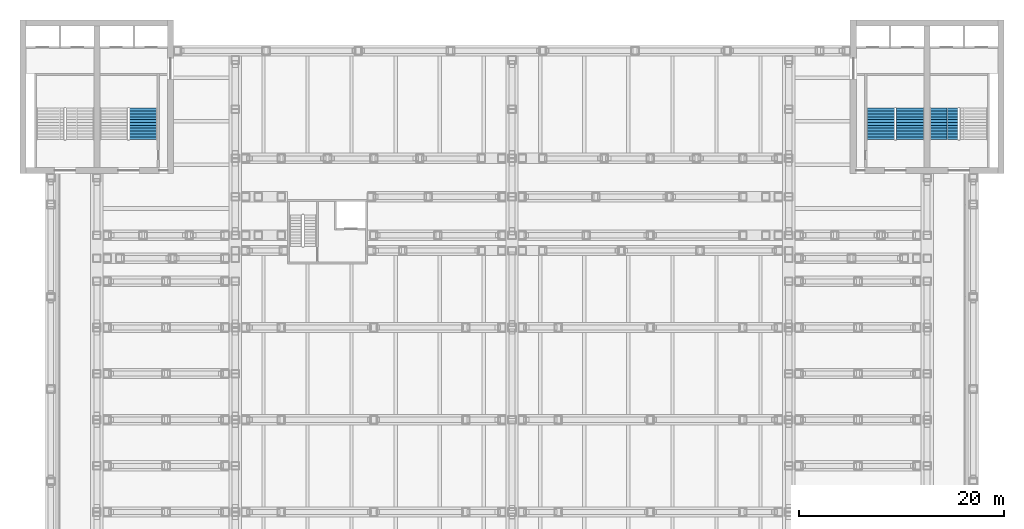
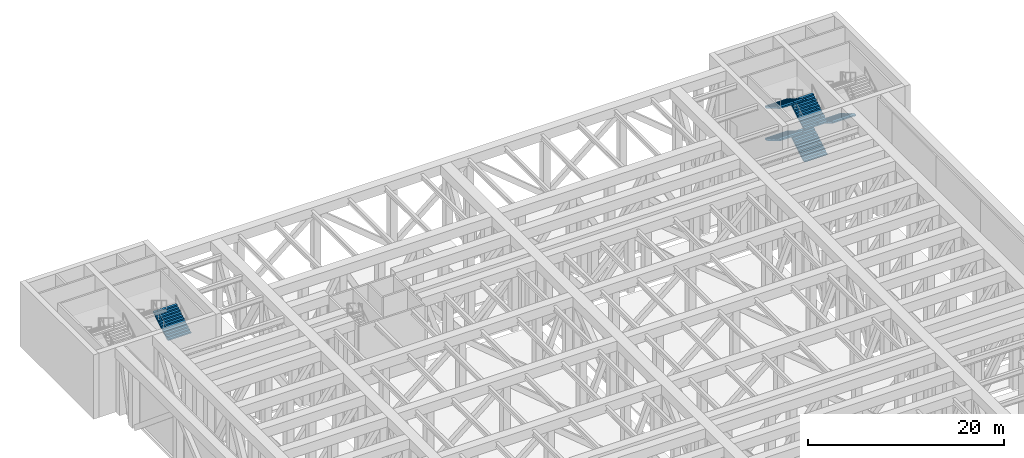
# One storey, part 16 of 20: 6 stair flights, 3 elements without a shape of their own.
"""IFC4 building model written with IfcOpenShell, lengths in metres."""

from ifc_helpers import new_model, si_unit, direction, frame, origin, place, context, subcontext, project, spatial, polyline, outline, extrude, material, type_object, element, aggregate, save


model = new_model("IFC4")

# Units and contexts
model_context = context("Model", 3, precision=1e-05, world=origin(), true_north=direction((0.0, 1.0)))
body_context = subcontext(model_context, "Body", "Model", "MODEL_VIEW")
ifc_project = project(units=[si_unit("LENGTHUNIT", "METRE"), si_unit("AREAUNIT", "SQUARE_METRE"), si_unit("VOLUMEUNIT", "CUBIC_METRE"), si_unit("PLANEANGLEUNIT", "RADIAN"), si_unit("MASSUNIT", "GRAM", prefix="KILO")], contexts=[model_context])

# Site, building, storey
site_placement = place(None, origin())
site = spatial("IfcSite", under=ifc_project, at=site_placement, CompositionType="ELEMENT")
building_placement = place(site_placement, origin())
building = spatial("IfcBuilding", under=site, at=building_placement, Name="Corbelhall Arena Tower", CompositionType="ELEMENT")
storey_placement = place(building_placement, frame((0.0, 0.0, 44.0)))
storey = spatial("IfcBuildingStorey", under=building, at=storey_placement, Name="L06", CompositionType="ELEMENT", Elevation=44.0)

# Stair, stair flights
ifc_material = material(Name="Reinforced concrete C40/50", Category="concrete")
stair_type = type_object("IfcStairType", Name="AR-EXIT-STAIR", PredefinedType="HALF_TURN_STAIR", material=ifc_material)
stair_1_placement = place(storey_placement, origin())
stair_1 = element("IfcStair", 1, at=stair_1_placement, inside=storey, type_object=stair_type, Name="L06 exit stair AS1", PredefinedType="HALF_TURN_STAIR")
stair_flight_type = type_object("IfcStairFlightType", Name="AR-EXIT-FLIGHT", PredefinedType="STRAIGHT", material=ifc_material)
stair_flight_1_placement = place(storey_placement, frame((38.840087890625, 27.320068359375, 0.0), z_axis=(0.0, 0.0, 1.0), x_axis=(0.0, 1.0, 0.0)))
stair_flight_1 = element("IfcStairFlight", 2, at=stair_flight_1_placement, type_object=stair_flight_type, Name="AS1 flight 1", NumberOfRisers=12, NumberOfTreads=11, PredefinedType="STRAIGHT", RiserHeight=0.166666667, TreadLength=0.28, context=body_context, shape_type="SweptSolid", body=[
    extrude(outline(polyline([(0.0, 0.0), (0.0, 0.166748046875), (0.280029296875, 0.166748046875), (0.280029296875, 0.333251953125), (0.56005859375, 0.333251953125), (0.56005859375, 0.5), (0.840087890625, 0.5), (0.840087890625, 0.666748046875), (1.1201171875, 0.666748046875), (1.1201171875, 0.833251953125), (1.39990234375, 0.833251953125), (1.39990234375, 1.0), (1.679931640625, 1.0), (1.679931640625, 1.166748046875), (1.9599609375, 1.166748046875), (1.9599609375, 1.333251953125), (2.239990234375, 1.333251953125), (2.239990234375, 1.5), (2.52001953125, 1.5), (2.52001953125, 1.666748046875), (2.800048828125, 1.666748046875), (2.800048828125, 1.833251953125), (3.080078125, 1.833251953125), (3.080078125, 2.0), (3.080078125, 1.658935546875), (0.29296875, 0.0), (0.0, 0.0)])), frame((0.0, 1.35986328125, 0.0), z_axis=(0.0, -1.0, 0.0), x_axis=(1.0, 0.0, 0.0)), (0.0, 0.0, 1.0), 0.449951171875),
    extrude(outline(polyline([(0.0, 0.0), (0.0, 0.166748046875), (0.280029296875, 0.166748046875), (0.280029296875, 0.333251953125), (0.56005859375, 0.333251953125), (0.56005859375, 0.5), (0.840087890625, 0.5), (0.840087890625, 0.666748046875), (1.1201171875, 0.666748046875), (1.1201171875, 0.833251953125), (1.39990234375, 0.833251953125), (1.39990234375, 1.0), (1.679931640625, 1.0), (1.679931640625, 1.166748046875), (1.9599609375, 1.166748046875), (1.9599609375, 1.333251953125), (2.239990234375, 1.333251953125), (2.239990234375, 1.5), (2.52001953125, 1.5), (2.52001953125, 1.666748046875), (2.800048828125, 1.666748046875), (2.800048828125, 1.833251953125), (3.080078125, 1.833251953125), (3.080078125, 2.0), (3.080078125, 1.658935546875), (0.29296875, 0.0), (0.0, 0.0)])), frame((0.0, 0.906005859375, 0.0), z_axis=(0.0, -1.0, 0.0), x_axis=(1.0, 0.0, 0.0)), (0.0, 0.0, 1.0), 0.601318359375),
    extrude(outline(polyline([(0.0, 0.0), (0.0, 0.166748046875), (0.280029296875, 0.166748046875), (0.280029296875, 0.333251953125), (0.56005859375, 0.333251953125), (0.56005859375, 0.5), (0.840087890625, 0.5), (0.840087890625, 0.666748046875), (1.1201171875, 0.666748046875), (1.1201171875, 0.833251953125), (1.39990234375, 0.833251953125), (1.39990234375, 1.0), (1.679931640625, 1.0), (1.679931640625, 1.166748046875), (1.9599609375, 1.166748046875), (1.9599609375, 1.333251953125), (2.239990234375, 1.333251953125), (2.239990234375, 1.5), (2.52001953125, 1.5), (2.52001953125, 1.666748046875), (2.800048828125, 1.666748046875), (2.800048828125, 1.833251953125), (3.080078125, 1.833251953125), (3.080078125, 2.0), (3.080078125, 1.658935546875), (0.29296875, 0.0), (0.0, 0.0)])), frame((0.0, 0.30078125, 0.0), z_axis=(0.0, -1.0, 0.0), x_axis=(1.0, 0.0, 0.0)), (0.0, 0.0, 1.0), 0.601318359375),
    extrude(outline(polyline([(0.0, 0.0), (0.0, 0.166748046875), (0.280029296875, 0.166748046875), (0.280029296875, 0.333251953125), (0.56005859375, 0.333251953125), (0.56005859375, 0.5), (0.840087890625, 0.5), (0.840087890625, 0.666748046875), (1.1201171875, 0.666748046875), (1.1201171875, 0.833251953125), (1.39990234375, 0.833251953125), (1.39990234375, 1.0), (1.679931640625, 1.0), (1.679931640625, 1.166748046875), (1.9599609375, 1.166748046875), (1.9599609375, 1.333251953125), (2.239990234375, 1.333251953125), (2.239990234375, 1.5), (2.52001953125, 1.5), (2.52001953125, 1.666748046875), (2.800048828125, 1.666748046875), (2.800048828125, 1.833251953125), (3.080078125, 1.833251953125), (3.080078125, 2.0), (3.080078125, 1.658935546875), (0.29296875, 0.0), (0.0, 0.0)])), frame((0.0, -0.3046875, 0.0), z_axis=(0.0, -1.0, 0.0), x_axis=(1.0, 0.0, 0.0)), (0.0, 0.0, 1.0), 0.601318359375),
    extrude(outline(polyline([(0.0, 0.0), (0.0, 0.166748046875), (0.280029296875, 0.166748046875), (0.280029296875, 0.333251953125), (0.56005859375, 0.333251953125), (0.56005859375, 0.5), (0.840087890625, 0.5), (0.840087890625, 0.666748046875), (1.1201171875, 0.666748046875), (1.1201171875, 0.833251953125), (1.39990234375, 0.833251953125), (1.39990234375, 1.0), (1.679931640625, 1.0), (1.679931640625, 1.166748046875), (1.9599609375, 1.166748046875), (1.9599609375, 1.333251953125), (2.239990234375, 1.333251953125), (2.239990234375, 1.5), (2.52001953125, 1.5), (2.52001953125, 1.666748046875), (2.800048828125, 1.666748046875), (2.800048828125, 1.833251953125), (3.080078125, 1.833251953125), (3.080078125, 2.0), (3.080078125, 1.658935546875), (0.29296875, 0.0), (0.0, 0.0)])), frame((0.0, -0.909912109375, 0.0), z_axis=(0.0, -1.0, 0.0), x_axis=(1.0, 0.0, 0.0)), (0.0, 0.0, 1.0), 0.449951171875),
])
stair_flight_2_placement = place(storey_placement, frame((35.969970703125, 30.39990234375, 2.0), z_axis=(0.0, 0.0, 1.0), x_axis=(0.0, -1.0, 0.0)))
stair_flight_2 = element("IfcStairFlight", 3, at=stair_flight_2_placement, type_object=stair_flight_type, Name="AS1 flight 2", NumberOfRisers=12, NumberOfTreads=11, PredefinedType="STRAIGHT", RiserHeight=0.166666667, TreadLength=0.28, context=body_context, shape_type="SweptSolid", body=[
    extrude(outline(polyline([(0.0, 0.0), (0.0, 0.166748046875), (0.280029296875, 0.166748046875), (0.280029296875, 0.333251953125), (0.56005859375, 0.333251953125), (0.56005859375, 0.5), (0.840087890625, 0.5), (0.840087890625, 0.666748046875), (1.1201171875, 0.666748046875), (1.1201171875, 0.833251953125), (1.39990234375, 0.833251953125), (1.39990234375, 1.0), (1.679931640625, 1.0), (1.679931640625, 1.166748046875), (1.9599609375, 1.166748046875), (1.9599609375, 1.333251953125), (2.239990234375, 1.333251953125), (2.239990234375, 1.5), (2.52001953125, 1.5), (2.52001953125, 1.666748046875), (2.800048828125, 1.666748046875), (2.800048828125, 1.833251953125), (3.080078125, 1.833251953125), (3.080078125, 2.0), (3.080078125, 1.658935546875), (0.29296875, 0.0), (0.0, 0.0)])), frame((0.0, 1.35986328125, 0.0), z_axis=(0.0, -1.0, 0.0), x_axis=(1.0, 0.0, 0.0)), (0.0, 0.0, 1.0), 0.449951171875),
    extrude(outline(polyline([(0.0, 0.0), (0.0, 0.166748046875), (0.280029296875, 0.166748046875), (0.280029296875, 0.333251953125), (0.56005859375, 0.333251953125), (0.56005859375, 0.5), (0.840087890625, 0.5), (0.840087890625, 0.666748046875), (1.1201171875, 0.666748046875), (1.1201171875, 0.833251953125), (1.39990234375, 0.833251953125), (1.39990234375, 1.0), (1.679931640625, 1.0), (1.679931640625, 1.166748046875), (1.9599609375, 1.166748046875), (1.9599609375, 1.333251953125), (2.239990234375, 1.333251953125), (2.239990234375, 1.5), (2.52001953125, 1.5), (2.52001953125, 1.666748046875), (2.800048828125, 1.666748046875), (2.800048828125, 1.833251953125), (3.080078125, 1.833251953125), (3.080078125, 2.0), (3.080078125, 1.658935546875), (0.29296875, 0.0), (0.0, 0.0)])), frame((0.0, 0.906005859375, 0.0), z_axis=(0.0, -1.0, 0.0), x_axis=(1.0, 0.0, 0.0)), (0.0, 0.0, 1.0), 0.601318359375),
    extrude(outline(polyline([(0.0, 0.0), (0.0, 0.166748046875), (0.280029296875, 0.166748046875), (0.280029296875, 0.333251953125), (0.56005859375, 0.333251953125), (0.56005859375, 0.5), (0.840087890625, 0.5), (0.840087890625, 0.666748046875), (1.1201171875, 0.666748046875), (1.1201171875, 0.833251953125), (1.39990234375, 0.833251953125), (1.39990234375, 1.0), (1.679931640625, 1.0), (1.679931640625, 1.166748046875), (1.9599609375, 1.166748046875), (1.9599609375, 1.333251953125), (2.239990234375, 1.333251953125), (2.239990234375, 1.5), (2.52001953125, 1.5), (2.52001953125, 1.666748046875), (2.800048828125, 1.666748046875), (2.800048828125, 1.833251953125), (3.080078125, 1.833251953125), (3.080078125, 2.0), (3.080078125, 1.658935546875), (0.29296875, 0.0), (0.0, 0.0)])), frame((0.0, 0.30078125, 0.0), z_axis=(0.0, -1.0, 0.0), x_axis=(1.0, 0.0, 0.0)), (0.0, 0.0, 1.0), 0.601318359375),
    extrude(outline(polyline([(0.0, 0.0), (0.0, 0.166748046875), (0.280029296875, 0.166748046875), (0.280029296875, 0.333251953125), (0.56005859375, 0.333251953125), (0.56005859375, 0.5), (0.840087890625, 0.5), (0.840087890625, 0.666748046875), (1.1201171875, 0.666748046875), (1.1201171875, 0.833251953125), (1.39990234375, 0.833251953125), (1.39990234375, 1.0), (1.679931640625, 1.0), (1.679931640625, 1.166748046875), (1.9599609375, 1.166748046875), (1.9599609375, 1.333251953125), (2.239990234375, 1.333251953125), (2.239990234375, 1.5), (2.52001953125, 1.5), (2.52001953125, 1.666748046875), (2.800048828125, 1.666748046875), (2.800048828125, 1.833251953125), (3.080078125, 1.833251953125), (3.080078125, 2.0), (3.080078125, 1.658935546875), (0.29296875, 0.0), (0.0, 0.0)])), frame((0.0, -0.3046875, 0.0), z_axis=(0.0, -1.0, 0.0), x_axis=(1.0, 0.0, 0.0)), (0.0, 0.0, 1.0), 0.601318359375),
    extrude(outline(polyline([(0.0, 0.0), (0.0, 0.166748046875), (0.280029296875, 0.166748046875), (0.280029296875, 0.333251953125), (0.56005859375, 0.333251953125), (0.56005859375, 0.5), (0.840087890625, 0.5), (0.840087890625, 0.666748046875), (1.1201171875, 0.666748046875), (1.1201171875, 0.833251953125), (1.39990234375, 0.833251953125), (1.39990234375, 1.0), (1.679931640625, 1.0), (1.679931640625, 1.166748046875), (1.9599609375, 1.166748046875), (1.9599609375, 1.333251953125), (2.239990234375, 1.333251953125), (2.239990234375, 1.5), (2.52001953125, 1.5), (2.52001953125, 1.666748046875), (2.800048828125, 1.666748046875), (2.800048828125, 1.833251953125), (3.080078125, 1.833251953125), (3.080078125, 2.0), (3.080078125, 1.658935546875), (0.29296875, 0.0), (0.0, 0.0)])), frame((0.0, -0.909912109375, 0.0), z_axis=(0.0, -1.0, 0.0), x_axis=(1.0, 0.0, 0.0)), (0.0, 0.0, 1.0), 0.449951171875),
])
stair_flight_3_placement = place(storey_placement, frame((38.840087890625, 27.320068359375, 4.0), z_axis=(0.0, 0.0, 1.0), x_axis=(0.0, 1.0, 0.0)))
stair_flight_3 = element("IfcStairFlight", 4, at=stair_flight_3_placement, type_object=stair_flight_type, Name="AS1 flight 3", NumberOfRisers=12, NumberOfTreads=11, PredefinedType="STRAIGHT", RiserHeight=0.166666667, TreadLength=0.28, context=body_context, shape_type="SweptSolid", body=[
    extrude(outline(polyline([(0.0, 0.0), (0.0, 0.166748046875), (0.280029296875, 0.166748046875), (0.280029296875, 0.333251953125), (0.56005859375, 0.333251953125), (0.56005859375, 0.5), (0.840087890625, 0.5), (0.840087890625, 0.666748046875), (1.1201171875, 0.666748046875), (1.1201171875, 0.833251953125), (1.39990234375, 0.833251953125), (1.39990234375, 1.0), (1.679931640625, 1.0), (1.679931640625, 1.166748046875), (1.9599609375, 1.166748046875), (1.9599609375, 1.333251953125), (2.239990234375, 1.333251953125), (2.239990234375, 1.5), (2.52001953125, 1.5), (2.52001953125, 1.666748046875), (2.800048828125, 1.666748046875), (2.800048828125, 1.833251953125), (3.080078125, 1.833251953125), (3.080078125, 2.0), (3.080078125, 1.658935546875), (0.29296875, 0.0), (0.0, 0.0)])), frame((0.0, 1.35986328125, 0.0), z_axis=(0.0, -1.0, 0.0), x_axis=(1.0, 0.0, 0.0)), (0.0, 0.0, 1.0), 0.449951171875),
    extrude(outline(polyline([(0.0, 0.0), (0.0, 0.166748046875), (0.280029296875, 0.166748046875), (0.280029296875, 0.333251953125), (0.56005859375, 0.333251953125), (0.56005859375, 0.5), (0.840087890625, 0.5), (0.840087890625, 0.666748046875), (1.1201171875, 0.666748046875), (1.1201171875, 0.833251953125), (1.39990234375, 0.833251953125), (1.39990234375, 1.0), (1.679931640625, 1.0), (1.679931640625, 1.166748046875), (1.9599609375, 1.166748046875), (1.9599609375, 1.333251953125), (2.239990234375, 1.333251953125), (2.239990234375, 1.5), (2.52001953125, 1.5), (2.52001953125, 1.666748046875), (2.800048828125, 1.666748046875), (2.800048828125, 1.833251953125), (3.080078125, 1.833251953125), (3.080078125, 2.0), (3.080078125, 1.658935546875), (0.29296875, 0.0), (0.0, 0.0)])), frame((0.0, 0.906005859375, 0.0), z_axis=(0.0, -1.0, 0.0), x_axis=(1.0, 0.0, 0.0)), (0.0, 0.0, 1.0), 0.601318359375),
    extrude(outline(polyline([(0.0, 0.0), (0.0, 0.166748046875), (0.280029296875, 0.166748046875), (0.280029296875, 0.333251953125), (0.56005859375, 0.333251953125), (0.56005859375, 0.5), (0.840087890625, 0.5), (0.840087890625, 0.666748046875), (1.1201171875, 0.666748046875), (1.1201171875, 0.833251953125), (1.39990234375, 0.833251953125), (1.39990234375, 1.0), (1.679931640625, 1.0), (1.679931640625, 1.166748046875), (1.9599609375, 1.166748046875), (1.9599609375, 1.333251953125), (2.239990234375, 1.333251953125), (2.239990234375, 1.5), (2.52001953125, 1.5), (2.52001953125, 1.666748046875), (2.800048828125, 1.666748046875), (2.800048828125, 1.833251953125), (3.080078125, 1.833251953125), (3.080078125, 2.0), (3.080078125, 1.658935546875), (0.29296875, 0.0), (0.0, 0.0)])), frame((0.0, 0.30078125, 0.0), z_axis=(0.0, -1.0, 0.0), x_axis=(1.0, 0.0, 0.0)), (0.0, 0.0, 1.0), 0.601318359375),
    extrude(outline(polyline([(0.0, 0.0), (0.0, 0.166748046875), (0.280029296875, 0.166748046875), (0.280029296875, 0.333251953125), (0.56005859375, 0.333251953125), (0.56005859375, 0.5), (0.840087890625, 0.5), (0.840087890625, 0.666748046875), (1.1201171875, 0.666748046875), (1.1201171875, 0.833251953125), (1.39990234375, 0.833251953125), (1.39990234375, 1.0), (1.679931640625, 1.0), (1.679931640625, 1.166748046875), (1.9599609375, 1.166748046875), (1.9599609375, 1.333251953125), (2.239990234375, 1.333251953125), (2.239990234375, 1.5), (2.52001953125, 1.5), (2.52001953125, 1.666748046875), (2.800048828125, 1.666748046875), (2.800048828125, 1.833251953125), (3.080078125, 1.833251953125), (3.080078125, 2.0), (3.080078125, 1.658935546875), (0.29296875, 0.0), (0.0, 0.0)])), frame((0.0, -0.3046875, 0.0), z_axis=(0.0, -1.0, 0.0), x_axis=(1.0, 0.0, 0.0)), (0.0, 0.0, 1.0), 0.601318359375),
    extrude(outline(polyline([(0.0, 0.0), (0.0, 0.166748046875), (0.280029296875, 0.166748046875), (0.280029296875, 0.333251953125), (0.56005859375, 0.333251953125), (0.56005859375, 0.5), (0.840087890625, 0.5), (0.840087890625, 0.666748046875), (1.1201171875, 0.666748046875), (1.1201171875, 0.833251953125), (1.39990234375, 0.833251953125), (1.39990234375, 1.0), (1.679931640625, 1.0), (1.679931640625, 1.166748046875), (1.9599609375, 1.166748046875), (1.9599609375, 1.333251953125), (2.239990234375, 1.333251953125), (2.239990234375, 1.5), (2.52001953125, 1.5), (2.52001953125, 1.666748046875), (2.800048828125, 1.666748046875), (2.800048828125, 1.833251953125), (3.080078125, 1.833251953125), (3.080078125, 2.0), (3.080078125, 1.658935546875), (0.29296875, 0.0), (0.0, 0.0)])), frame((0.0, -0.909912109375, 0.0), z_axis=(0.0, -1.0, 0.0), x_axis=(1.0, 0.0, 0.0)), (0.0, 0.0, 1.0), 0.449951171875),
])
stair_flight_4_placement = place(storey_placement, frame((35.969970703125, 30.39990234375, 6.0), z_axis=(0.0, 0.0, 1.0), x_axis=(0.0, -1.0, 0.0)))
stair_flight_4 = element("IfcStairFlight", 5, at=stair_flight_4_placement, type_object=stair_flight_type, Name="AS1 flight 4", NumberOfRisers=12, NumberOfTreads=11, PredefinedType="STRAIGHT", RiserHeight=0.166666667, TreadLength=0.28, context=body_context, shape_type="SweptSolid", body=[
    extrude(outline(polyline([(0.0, 0.0), (0.0, 0.166748046875), (0.280029296875, 0.166748046875), (0.280029296875, 0.333251953125), (0.56005859375, 0.333251953125), (0.56005859375, 0.5), (0.840087890625, 0.5), (0.840087890625, 0.666748046875), (1.1201171875, 0.666748046875), (1.1201171875, 0.833251953125), (1.39990234375, 0.833251953125), (1.39990234375, 1.0), (1.679931640625, 1.0), (1.679931640625, 1.166748046875), (1.9599609375, 1.166748046875), (1.9599609375, 1.333251953125), (2.239990234375, 1.333251953125), (2.239990234375, 1.5), (2.52001953125, 1.5), (2.52001953125, 1.666748046875), (2.800048828125, 1.666748046875), (2.800048828125, 1.833251953125), (3.080078125, 1.833251953125), (3.080078125, 2.0), (3.080078125, 1.658935546875), (0.29296875, 0.0), (0.0, 0.0)])), frame((0.0, 1.35986328125, 0.0), z_axis=(0.0, -1.0, 0.0), x_axis=(1.0, 0.0, 0.0)), (0.0, 0.0, 1.0), 0.449951171875),
    extrude(outline(polyline([(0.0, 0.0), (0.0, 0.166748046875), (0.280029296875, 0.166748046875), (0.280029296875, 0.333251953125), (0.56005859375, 0.333251953125), (0.56005859375, 0.5), (0.840087890625, 0.5), (0.840087890625, 0.666748046875), (1.1201171875, 0.666748046875), (1.1201171875, 0.833251953125), (1.39990234375, 0.833251953125), (1.39990234375, 1.0), (1.679931640625, 1.0), (1.679931640625, 1.166748046875), (1.9599609375, 1.166748046875), (1.9599609375, 1.333251953125), (2.239990234375, 1.333251953125), (2.239990234375, 1.5), (2.52001953125, 1.5), (2.52001953125, 1.666748046875), (2.800048828125, 1.666748046875), (2.800048828125, 1.833251953125), (3.080078125, 1.833251953125), (3.080078125, 2.0), (3.080078125, 1.658935546875), (0.29296875, 0.0), (0.0, 0.0)])), frame((0.0, 0.906005859375, 0.0), z_axis=(0.0, -1.0, 0.0), x_axis=(1.0, 0.0, 0.0)), (0.0, 0.0, 1.0), 0.601318359375),
    extrude(outline(polyline([(0.0, 0.0), (0.0, 0.166748046875), (0.280029296875, 0.166748046875), (0.280029296875, 0.333251953125), (0.56005859375, 0.333251953125), (0.56005859375, 0.5), (0.840087890625, 0.5), (0.840087890625, 0.666748046875), (1.1201171875, 0.666748046875), (1.1201171875, 0.833251953125), (1.39990234375, 0.833251953125), (1.39990234375, 1.0), (1.679931640625, 1.0), (1.679931640625, 1.166748046875), (1.9599609375, 1.166748046875), (1.9599609375, 1.333251953125), (2.239990234375, 1.333251953125), (2.239990234375, 1.5), (2.52001953125, 1.5), (2.52001953125, 1.666748046875), (2.800048828125, 1.666748046875), (2.800048828125, 1.833251953125), (3.080078125, 1.833251953125), (3.080078125, 2.0), (3.080078125, 1.658935546875), (0.29296875, 0.0), (0.0, 0.0)])), frame((0.0, 0.30078125, 0.0), z_axis=(0.0, -1.0, 0.0), x_axis=(1.0, 0.0, 0.0)), (0.0, 0.0, 1.0), 0.601318359375),
    extrude(outline(polyline([(0.0, 0.0), (0.0, 0.166748046875), (0.280029296875, 0.166748046875), (0.280029296875, 0.333251953125), (0.56005859375, 0.333251953125), (0.56005859375, 0.5), (0.840087890625, 0.5), (0.840087890625, 0.666748046875), (1.1201171875, 0.666748046875), (1.1201171875, 0.833251953125), (1.39990234375, 0.833251953125), (1.39990234375, 1.0), (1.679931640625, 1.0), (1.679931640625, 1.166748046875), (1.9599609375, 1.166748046875), (1.9599609375, 1.333251953125), (2.239990234375, 1.333251953125), (2.239990234375, 1.5), (2.52001953125, 1.5), (2.52001953125, 1.666748046875), (2.800048828125, 1.666748046875), (2.800048828125, 1.833251953125), (3.080078125, 1.833251953125), (3.080078125, 2.0), (3.080078125, 1.658935546875), (0.29296875, 0.0), (0.0, 0.0)])), frame((0.0, -0.3046875, 0.0), z_axis=(0.0, -1.0, 0.0), x_axis=(1.0, 0.0, 0.0)), (0.0, 0.0, 1.0), 0.601318359375),
    extrude(outline(polyline([(0.0, 0.0), (0.0, 0.166748046875), (0.280029296875, 0.166748046875), (0.280029296875, 0.333251953125), (0.56005859375, 0.333251953125), (0.56005859375, 0.5), (0.840087890625, 0.5), (0.840087890625, 0.666748046875), (1.1201171875, 0.666748046875), (1.1201171875, 0.833251953125), (1.39990234375, 0.833251953125), (1.39990234375, 1.0), (1.679931640625, 1.0), (1.679931640625, 1.166748046875), (1.9599609375, 1.166748046875), (1.9599609375, 1.333251953125), (2.239990234375, 1.333251953125), (2.239990234375, 1.5), (2.52001953125, 1.5), (2.52001953125, 1.666748046875), (2.800048828125, 1.666748046875), (2.800048828125, 1.833251953125), (3.080078125, 1.833251953125), (3.080078125, 2.0), (3.080078125, 1.658935546875), (0.29296875, 0.0), (0.0, 0.0)])), frame((0.0, -0.909912109375, 0.0), z_axis=(0.0, -1.0, 0.0), x_axis=(1.0, 0.0, 0.0)), (0.0, 0.0, 1.0), 0.449951171875),
])
aggregate(stair_1, [stair_flight_1, stair_flight_2, stair_flight_3, stair_flight_4])

# Stair, stair flight
stair_2_placement = place(storey_placement, origin())
stair_2 = element("IfcStair", 6, at=stair_2_placement, inside=storey, type_object=stair_type, Name="L06 exit stair AS2", PredefinedType="HALF_TURN_STAIR")
stair_flight_5_placement = place(storey_placement, frame((42.159912109375, 30.39990234375, 2.0), z_axis=(0.0, 0.0, 1.0), x_axis=(0.0, -1.0, 0.0)))
stair_flight_5 = element("IfcStairFlight", 7, at=stair_flight_5_placement, type_object=stair_flight_type, Name="AS2 flight 2", NumberOfRisers=12, NumberOfTreads=11, PredefinedType="STRAIGHT", RiserHeight=0.166666667, TreadLength=0.28, context=body_context, shape_type="SweptSolid", body=[
    extrude(outline(polyline([(0.0, 0.0), (0.0, 0.166748046875), (0.280029296875, 0.166748046875), (0.280029296875, 0.333251953125), (0.56005859375, 0.333251953125), (0.56005859375, 0.5), (0.840087890625, 0.5), (0.840087890625, 0.666748046875), (1.1201171875, 0.666748046875), (1.1201171875, 0.833251953125), (1.39990234375, 0.833251953125), (1.39990234375, 1.0), (1.679931640625, 1.0), (1.679931640625, 1.166748046875), (1.9599609375, 1.166748046875), (1.9599609375, 1.333251953125), (2.239990234375, 1.333251953125), (2.239990234375, 1.5), (2.52001953125, 1.5), (2.52001953125, 1.666748046875), (2.800048828125, 1.666748046875), (2.800048828125, 1.833251953125), (3.080078125, 1.833251953125), (3.080078125, 2.0), (3.080078125, 1.658935546875), (0.29296875, 0.0), (0.0, 0.0)])), frame((0.0, 1.35986328125, 0.0), z_axis=(0.0, -1.0, 0.0), x_axis=(1.0, 0.0, 0.0)), (0.0, 0.0, 1.0), 0.449951171875),
    extrude(outline(polyline([(0.0, 0.0), (0.0, 0.166748046875), (0.280029296875, 0.166748046875), (0.280029296875, 0.333251953125), (0.56005859375, 0.333251953125), (0.56005859375, 0.5), (0.840087890625, 0.5), (0.840087890625, 0.666748046875), (1.1201171875, 0.666748046875), (1.1201171875, 0.833251953125), (1.39990234375, 0.833251953125), (1.39990234375, 1.0), (1.679931640625, 1.0), (1.679931640625, 1.166748046875), (1.9599609375, 1.166748046875), (1.9599609375, 1.333251953125), (2.239990234375, 1.333251953125), (2.239990234375, 1.5), (2.52001953125, 1.5), (2.52001953125, 1.666748046875), (2.800048828125, 1.666748046875), (2.800048828125, 1.833251953125), (3.080078125, 1.833251953125), (3.080078125, 2.0), (3.080078125, 1.658935546875), (0.29296875, 0.0), (0.0, 0.0)])), frame((0.0, 0.906005859375, 0.0), z_axis=(0.0, -1.0, 0.0), x_axis=(1.0, 0.0, 0.0)), (0.0, 0.0, 1.0), 0.601318359375),
    extrude(outline(polyline([(0.0, 0.0), (0.0, 0.166748046875), (0.280029296875, 0.166748046875), (0.280029296875, 0.333251953125), (0.56005859375, 0.333251953125), (0.56005859375, 0.5), (0.840087890625, 0.5), (0.840087890625, 0.666748046875), (1.1201171875, 0.666748046875), (1.1201171875, 0.833251953125), (1.39990234375, 0.833251953125), (1.39990234375, 1.0), (1.679931640625, 1.0), (1.679931640625, 1.166748046875), (1.9599609375, 1.166748046875), (1.9599609375, 1.333251953125), (2.239990234375, 1.333251953125), (2.239990234375, 1.5), (2.52001953125, 1.5), (2.52001953125, 1.666748046875), (2.800048828125, 1.666748046875), (2.800048828125, 1.833251953125), (3.080078125, 1.833251953125), (3.080078125, 2.0), (3.080078125, 1.658935546875), (0.29296875, 0.0), (0.0, 0.0)])), frame((0.0, 0.30078125, 0.0), z_axis=(0.0, -1.0, 0.0), x_axis=(1.0, 0.0, 0.0)), (0.0, 0.0, 1.0), 0.601318359375),
    extrude(outline(polyline([(0.0, 0.0), (0.0, 0.166748046875), (0.280029296875, 0.166748046875), (0.280029296875, 0.333251953125), (0.56005859375, 0.333251953125), (0.56005859375, 0.5), (0.840087890625, 0.5), (0.840087890625, 0.666748046875), (1.1201171875, 0.666748046875), (1.1201171875, 0.833251953125), (1.39990234375, 0.833251953125), (1.39990234375, 1.0), (1.679931640625, 1.0), (1.679931640625, 1.166748046875), (1.9599609375, 1.166748046875), (1.9599609375, 1.333251953125), (2.239990234375, 1.333251953125), (2.239990234375, 1.5), (2.52001953125, 1.5), (2.52001953125, 1.666748046875), (2.800048828125, 1.666748046875), (2.800048828125, 1.833251953125), (3.080078125, 1.833251953125), (3.080078125, 2.0), (3.080078125, 1.658935546875), (0.29296875, 0.0), (0.0, 0.0)])), frame((0.0, -0.3046875, 0.0), z_axis=(0.0, -1.0, 0.0), x_axis=(1.0, 0.0, 0.0)), (0.0, 0.0, 1.0), 0.601318359375),
    extrude(outline(polyline([(0.0, 0.0), (0.0, 0.166748046875), (0.280029296875, 0.166748046875), (0.280029296875, 0.333251953125), (0.56005859375, 0.333251953125), (0.56005859375, 0.5), (0.840087890625, 0.5), (0.840087890625, 0.666748046875), (1.1201171875, 0.666748046875), (1.1201171875, 0.833251953125), (1.39990234375, 0.833251953125), (1.39990234375, 1.0), (1.679931640625, 1.0), (1.679931640625, 1.166748046875), (1.9599609375, 1.166748046875), (1.9599609375, 1.333251953125), (2.239990234375, 1.333251953125), (2.239990234375, 1.5), (2.52001953125, 1.5), (2.52001953125, 1.666748046875), (2.800048828125, 1.666748046875), (2.800048828125, 1.833251953125), (3.080078125, 1.833251953125), (3.080078125, 2.0), (3.080078125, 1.658935546875), (0.29296875, 0.0), (0.0, 0.0)])), frame((0.0, -0.909912109375, 0.0), z_axis=(0.0, -1.0, 0.0), x_axis=(1.0, 0.0, 0.0)), (0.0, 0.0, 1.0), 0.449951171875),
])
aggregate(stair_2, [stair_flight_5])

stair_3_placement = place(storey_placement, origin())
stair_3 = element("IfcStair", 8, at=stair_3_placement, inside=storey, type_object=stair_type, Name="L06 exit stair AS3", PredefinedType="HALF_TURN_STAIR")
stair_flight_6_placement = place(storey_placement, frame((-35.969970703125, 27.320068359375, 4.0), z_axis=(0.0, 0.0, 1.0), x_axis=(0.0, 1.0, 0.0)))
stair_flight_6 = element("IfcStairFlight", 9, at=stair_flight_6_placement, type_object=stair_flight_type, Name="AS3 flight 3", NumberOfRisers=12, NumberOfTreads=11, PredefinedType="STRAIGHT", RiserHeight=0.166666667, TreadLength=0.28, context=body_context, shape_type="SweptSolid", body=[
    extrude(outline(polyline([(0.0, 0.0), (0.0, 0.166748046875), (0.280029296875, 0.166748046875), (0.280029296875, 0.333251953125), (0.56005859375, 0.333251953125), (0.56005859375, 0.5), (0.840087890625, 0.5), (0.840087890625, 0.666748046875), (1.1201171875, 0.666748046875), (1.1201171875, 0.833251953125), (1.39990234375, 0.833251953125), (1.39990234375, 1.0), (1.679931640625, 1.0), (1.679931640625, 1.166748046875), (1.9599609375, 1.166748046875), (1.9599609375, 1.333251953125), (2.239990234375, 1.333251953125), (2.239990234375, 1.5), (2.52001953125, 1.5), (2.52001953125, 1.666748046875), (2.800048828125, 1.666748046875), (2.800048828125, 1.833251953125), (3.080078125, 1.833251953125), (3.080078125, 2.0), (3.080078125, 1.658935546875), (0.29296875, 0.0), (0.0, 0.0)])), frame((0.0, 1.35986328125, 0.0), z_axis=(0.0, -1.0, 0.0), x_axis=(1.0, 0.0, 0.0)), (0.0, 0.0, 1.0), 0.449951171875),
    extrude(outline(polyline([(0.0, 0.0), (0.0, 0.166748046875), (0.280029296875, 0.166748046875), (0.280029296875, 0.333251953125), (0.56005859375, 0.333251953125), (0.56005859375, 0.5), (0.840087890625, 0.5), (0.840087890625, 0.666748046875), (1.1201171875, 0.666748046875), (1.1201171875, 0.833251953125), (1.39990234375, 0.833251953125), (1.39990234375, 1.0), (1.679931640625, 1.0), (1.679931640625, 1.166748046875), (1.9599609375, 1.166748046875), (1.9599609375, 1.333251953125), (2.239990234375, 1.333251953125), (2.239990234375, 1.5), (2.52001953125, 1.5), (2.52001953125, 1.666748046875), (2.800048828125, 1.666748046875), (2.800048828125, 1.833251953125), (3.080078125, 1.833251953125), (3.080078125, 2.0), (3.080078125, 1.658935546875), (0.29296875, 0.0), (0.0, 0.0)])), frame((0.0, 0.906005859375, 0.0), z_axis=(0.0, -1.0, 0.0), x_axis=(1.0, 0.0, 0.0)), (0.0, 0.0, 1.0), 0.601318359375),
    extrude(outline(polyline([(0.0, 0.0), (0.0, 0.166748046875), (0.280029296875, 0.166748046875), (0.280029296875, 0.333251953125), (0.56005859375, 0.333251953125), (0.56005859375, 0.5), (0.840087890625, 0.5), (0.840087890625, 0.666748046875), (1.1201171875, 0.666748046875), (1.1201171875, 0.833251953125), (1.39990234375, 0.833251953125), (1.39990234375, 1.0), (1.679931640625, 1.0), (1.679931640625, 1.166748046875), (1.9599609375, 1.166748046875), (1.9599609375, 1.333251953125), (2.239990234375, 1.333251953125), (2.239990234375, 1.5), (2.52001953125, 1.5), (2.52001953125, 1.666748046875), (2.800048828125, 1.666748046875), (2.800048828125, 1.833251953125), (3.080078125, 1.833251953125), (3.080078125, 2.0), (3.080078125, 1.658935546875), (0.29296875, 0.0), (0.0, 0.0)])), frame((0.0, 0.30078125, 0.0), z_axis=(0.0, -1.0, 0.0), x_axis=(1.0, 0.0, 0.0)), (0.0, 0.0, 1.0), 0.601318359375),
    extrude(outline(polyline([(0.0, 0.0), (0.0, 0.166748046875), (0.280029296875, 0.166748046875), (0.280029296875, 0.333251953125), (0.56005859375, 0.333251953125), (0.56005859375, 0.5), (0.840087890625, 0.5), (0.840087890625, 0.666748046875), (1.1201171875, 0.666748046875), (1.1201171875, 0.833251953125), (1.39990234375, 0.833251953125), (1.39990234375, 1.0), (1.679931640625, 1.0), (1.679931640625, 1.166748046875), (1.9599609375, 1.166748046875), (1.9599609375, 1.333251953125), (2.239990234375, 1.333251953125), (2.239990234375, 1.5), (2.52001953125, 1.5), (2.52001953125, 1.666748046875), (2.800048828125, 1.666748046875), (2.800048828125, 1.833251953125), (3.080078125, 1.833251953125), (3.080078125, 2.0), (3.080078125, 1.658935546875), (0.29296875, 0.0), (0.0, 0.0)])), frame((0.0, -0.3046875, 0.0), z_axis=(0.0, -1.0, 0.0), x_axis=(1.0, 0.0, 0.0)), (0.0, 0.0, 1.0), 0.601318359375),
    extrude(outline(polyline([(0.0, 0.0), (0.0, 0.166748046875), (0.280029296875, 0.166748046875), (0.280029296875, 0.333251953125), (0.56005859375, 0.333251953125), (0.56005859375, 0.5), (0.840087890625, 0.5), (0.840087890625, 0.666748046875), (1.1201171875, 0.666748046875), (1.1201171875, 0.833251953125), (1.39990234375, 0.833251953125), (1.39990234375, 1.0), (1.679931640625, 1.0), (1.679931640625, 1.166748046875), (1.9599609375, 1.166748046875), (1.9599609375, 1.333251953125), (2.239990234375, 1.333251953125), (2.239990234375, 1.5), (2.52001953125, 1.5), (2.52001953125, 1.666748046875), (2.800048828125, 1.666748046875), (2.800048828125, 1.833251953125), (3.080078125, 1.833251953125), (3.080078125, 2.0), (3.080078125, 1.658935546875), (0.29296875, 0.0), (0.0, 0.0)])), frame((0.0, -0.909912109375, 0.0), z_axis=(0.0, -1.0, 0.0), x_axis=(1.0, 0.0, 0.0)), (0.0, 0.0, 1.0), 0.449951171875),
])
aggregate(stair_3, [stair_flight_6])

save(model, "model.ifc")
